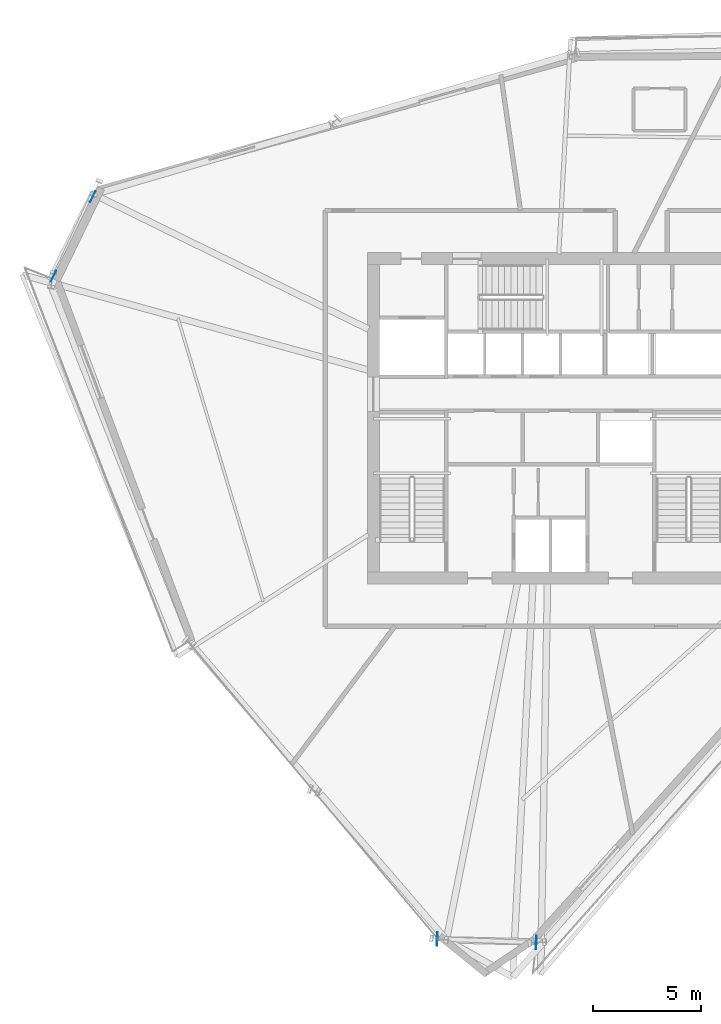
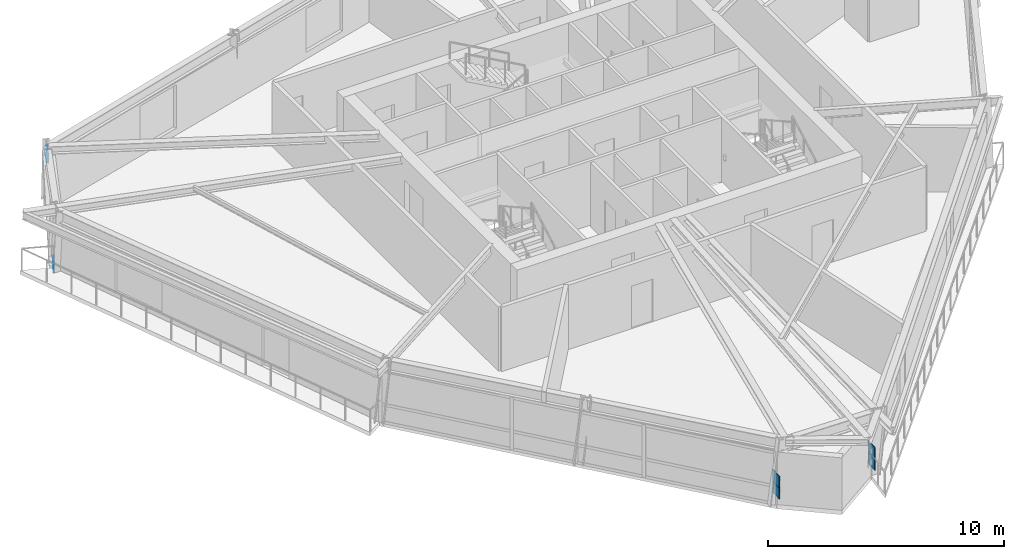
# One storey, part 7 of 15: 6 plates.
"""IFC4 building model written with IfcOpenShell, lengths in metres."""

import ifcopenshell
import ifcopenshell.guid

model = None  # the IFC model being written
_history = None  # IfcOwnerHistory: only IFC2X3 demands one
_inside = {}  # id of a spatial element -> (the spatial element, [elements in it])
_under = {}  # id of a project, library or spatial element -> (it, [spatial elements below it])
_declared = {}  # id of a project -> (the project, [libraries it declares])
_typed = {}  # id of a type object -> (the type object, [elements of that type])
_made_of = {}  # id of a material, layer set ... -> (it, [elements and type objects made of it])


def new_model(schema):
    """Start an empty IFC model of exactly this schema.

    Asked for "IFC4X3", IfcOpenShell would pick the latest addendum, in which some entities
    have other attributes; the version numbers below select the first issue.
    IFC2X3 requires an IfcOwnerHistory on every rooted entity: one is made here for all.
    """
    global model, _history
    if schema == "IFC4X3":
        model = ifcopenshell.file(schema_version=(4, 3, 0, 0))
    else:
        model = ifcopenshell.file(schema=schema)
    _inside.clear()
    _under.clear()
    _declared.clear()
    _typed.clear()
    _made_of.clear()
    _history = None
    if model.schema == "IFC2X3":
        org = make("IfcOrganization", Name="unknown")
        user = make(
            "IfcPersonAndOrganization",
            ThePerson=make("IfcPerson", FamilyName="unknown"),
            TheOrganization=org,
        )
        app = make(
            "IfcApplication",
            ApplicationDeveloper=org,
            Version="unknown",
            ApplicationFullName="unknown",
            ApplicationIdentifier="unknown",
        )
        _history = make(
            "IfcOwnerHistory",
            OwningUser=user,
            OwningApplication=app,
            ChangeAction="ADDED",
            CreationDate=0,
        )
    return model


def make(cls, **values):
    """One entity of the class cls with the attributes given. An attribute that is None is left unset."""
    return model.create_entity(
        cls, **{name: value for name, value in values.items() if value is not None}
    )


def rooted(cls, **values):
    """An entity with a GlobalId (a new one), such as an element, a storey or a relation."""
    return make(cls, GlobalId=ifcopenshell.guid.new(), OwnerHistory=_history, **values)


def si_unit(unit_type, name, prefix=None):
    """IfcSIUnit, for example si_unit("LENGTHUNIT", "METRE", prefix="MILLI")."""
    return make("IfcSIUnit", UnitType=unit_type, Prefix=prefix, Name=name)


def assignment(units):
    """IfcUnitAssignment: the units of a project."""
    return None if units is None else make("IfcUnitAssignment", Units=units)


def point(xyz):
    """IfcCartesianPoint."""
    return None if xyz is None else make("IfcCartesianPoint", Coordinates=xyz)


def direction(xyz):
    """IfcDirection."""
    return None if xyz is None else make("IfcDirection", DirectionRatios=xyz)


def frame(location, z_axis=None, x_axis=None):
    """IfcAxis2Placement3D, a coordinate frame: its origin and axes. An axis left out is left unset."""
    return make(
        "IfcAxis2Placement3D",
        Location=point(location),
        Axis=direction(z_axis),
        RefDirection=direction(x_axis),
    )


def frame_2d(location, x_axis=None):
    """IfcAxis2Placement2D, a coordinate frame in the plane: its origin and x axis."""
    return make(
        "IfcAxis2Placement2D", Location=point(location), RefDirection=direction(x_axis)
    )


def origin():
    """The frame at (0, 0, 0) with its axes left unset."""
    return frame((0.0, 0.0, 0.0))


def origin_2d():
    """The frame at (0, 0) in the plane with its x axis left unset."""
    return frame_2d((0.0, 0.0))


def place(relative_to, where):
    """IfcLocalPlacement: puts the frame where relative to a parent placement (None: the world)."""
    return make(
        "IfcLocalPlacement", PlacementRelTo=relative_to, RelativePlacement=where
    )


def context(
    kind, dimensions, precision=None, world=None, true_north=None, identifier=None
):
    """IfcGeometricRepresentationContext, for example the 3D "Model" context."""
    return make(
        "IfcGeometricRepresentationContext",
        ContextIdentifier=identifier,
        ContextType=kind,
        CoordinateSpaceDimension=dimensions,
        Precision=precision,
        WorldCoordinateSystem=world,
        TrueNorth=true_north,
    )


def subcontext(parent, identifier, kind, view, scale=None):
    """IfcGeometricRepresentationSubContext, for example "Body" below "Model"."""
    return make(
        "IfcGeometricRepresentationSubContext",
        ContextIdentifier=identifier,
        ContextType=kind,
        ParentContext=parent,
        TargetScale=scale,
        TargetView=view,
    )


def project(units=None, contexts=None):
    """IfcProject with its units and contexts."""
    return rooted(
        "IfcProject",
        Name="project",
        RepresentationContexts=contexts,
        UnitsInContext=assignment(units),
    )


def spatial(cls, under=None, at=None, **own):
    """A site, building, storey or space (cls), placed at a placement, below another one or the project."""
    s = rooted(cls, ObjectPlacement=at, **own)
    if under is not None:
        _under.setdefault(under.id(), (under, []))[1].append(s)
    return s


def profile(cls, at=None, kind="AREA", **sizes):
    """A parametric profile (cls). Its sizes go by their IFC names, for example OverallWidth=200.0."""
    return make(cls, ProfileType=kind, Position=at, **sizes)


def rectangle(**sizes):
    """IfcRectangleProfileDef."""
    return profile("IfcRectangleProfileDef", **sizes)


def extrude(swept, where, along, depth):
    """IfcExtrudedAreaSolid: the profile swept, set in the frame where, extruded along a direction by depth."""
    return make(
        "IfcExtrudedAreaSolid",
        SweptArea=swept,
        Position=where,
        ExtrudedDirection=direction(along),
        Depth=depth,
    )


def shape(context_of_items, identifier, shape_type, items):
    """IfcShapeRepresentation: the items that make up one representation, for example the "Body"."""
    return make(
        "IfcShapeRepresentation",
        ContextOfItems=context_of_items,
        RepresentationIdentifier=identifier,
        RepresentationType=shape_type,
        Items=items,
    )


def source(mapping_origin, context_of_items, identifier, shape_type, items):
    """IfcRepresentationMap: a shape defined once, which mapped items show again and again."""
    return make(
        "IfcRepresentationMap",
        MappingOrigin=mapping_origin,
        MappedRepresentation=shape(context_of_items, identifier, shape_type, items),
    )


def transform(
    local_origin,
    x_axis=None,
    y_axis=None,
    z_axis=None,
    scale=None,
    scale2=None,
    scale3=None,
    uniform=True,
):
    """IfcCartesianTransformationOperator3D, or its non-uniform kind. x_axis, y_axis, z_axis: its Axis1, 2, 3."""
    if uniform:
        return make(
            "IfcCartesianTransformationOperator3D",
            Axis1=direction(x_axis),
            Axis2=direction(y_axis),
            LocalOrigin=point(local_origin),
            Scale=scale,
            Axis3=direction(z_axis),
        )
    return make(
        "IfcCartesianTransformationOperator3DnonUniform",
        Axis1=direction(x_axis),
        Axis2=direction(y_axis),
        LocalOrigin=point(local_origin),
        Scale=scale,
        Axis3=direction(z_axis),
        Scale2=scale2,
        Scale3=scale3,
    )


def mapped(mapping_source, mapping_target):
    """IfcMappedItem: shows the shape of a source again, moved by a transform."""
    return make(
        "IfcMappedItem", MappingSource=mapping_source, MappingTarget=mapping_target
    )


def material(Name=None, Category=None):
    """IfcMaterial."""
    return make("IfcMaterial", Name=Name, Category=Category)


def made_of(thing, what):
    """Note that an element or type object is made of a material, layer set ...; save() writes the relation."""
    if what is not None:
        _made_of.setdefault(what.id(), (what, []))[1].append(thing)
    return thing


def type_object(cls, material=None, **own):
    """A type object (cls), such as IfcWallType, which elements share."""
    return made_of(rooted(cls, **own), material)


def element(
    cls,
    number,
    at=None,
    inside=None,
    cuts=None,
    type_object=None,
    material=None,
    context=None,
    identifier="Body",
    shape_type=None,
    held_by="IfcProductDefinitionShape",
    body=None,
    shapes=None,
    **own,
):
    """One element of the class cls, such as IfcWall. Its Tag is "e" and its number.

    at: its placement. inside: the storey or other place that contains it. cuts: it is an
    opening in that element (IfcRelVoidsElement). A single representation is given by context,
    identifier, shape_type and body (its items); several are given by shapes. held_by: the class
    of the entity that holds the representations. save() writes the other relations.
    """
    e = rooted(cls, Tag="e%d" % number, ObjectPlacement=at, **own)
    if body is not None:
        shapes = [shape(context, identifier, shape_type, body)]
    if shapes is not None:
        e.Representation = make(held_by, Representations=shapes)
    if inside is not None:
        _inside.setdefault(inside.id(), (inside, []))[1].append(e)
    if cuts is not None:
        rooted(
            "IfcRelVoidsElement", RelatingBuildingElement=cuts, RelatedOpeningElement=e
        )
    if type_object is not None:
        _typed.setdefault(type_object.id(), (type_object, []))[1].append(e)
    return made_of(e, material)


def aggregate(whole, parts):
    """IfcRelAggregates: a whole, such as a stair, and the parts it consists of."""
    return rooted("IfcRelAggregates", RelatingObject=whole, RelatedObjects=parts)


def save(model, path):
    """Write the relations noted so far, then the file.

    IfcRelAggregates (storeys below a building ...), IfcRelContainedInSpatialStructure (elements
    in a storey), IfcRelDefinesByType, IfcRelAssociatesMaterial and IfcRelDeclares: one each for
    every whole, place, type object, material and project.
    """
    for whole, parts in _under.values():
        aggregate(whole, parts)
    for where, things in _inside.values():
        rooted(
            "IfcRelContainedInSpatialStructure",
            RelatedElements=things,
            RelatingStructure=where,
        )
    for kind, things in _typed.values():
        rooted("IfcRelDefinesByType", RelatedObjects=things, RelatingType=kind)
    for what, things in _made_of.values():
        rooted("IfcRelAssociatesMaterial", RelatedObjects=things, RelatingMaterial=what)
    for by, libraries in _declared.values():
        rooted("IfcRelDeclares", RelatingContext=by, RelatedDefinitions=libraries)
    model.write(path)


model = new_model("IFC4")

# Units and contexts
model_context = context("Model", 3, precision=1e-05, world=origin(), true_north=direction((0.0, 1.0)))
body_context = subcontext(model_context, "Body", "Model", "MODEL_VIEW")
ifc_project = project(units=[si_unit("LENGTHUNIT", "METRE"), si_unit("AREAUNIT", "SQUARE_METRE"), si_unit("VOLUMEUNIT", "CUBIC_METRE"), si_unit("PLANEANGLEUNIT", "RADIAN"), si_unit("MASSUNIT", "GRAM", prefix="KILO")], contexts=[model_context])

# Site, building, storey
site_placement = place(None, origin())
site = spatial("IfcSite", under=ifc_project, at=site_placement, CompositionType="ELEMENT")
building_placement = place(site_placement, origin())
building = spatial("IfcBuilding", under=site, at=building_placement, Name="Olszyna Solenne Hotel", CompositionType="ELEMENT")
storey_placement = place(building_placement, frame((0.0, 0.0, 164.35009765625)))
storey = spatial("IfcBuildingStorey", under=building, at=storey_placement, Name="L43", CompositionType="ELEMENT", Elevation=164.35009765625)

# Plates
ifc_material_1 = material(Name="Steel S460M", Category="steel")
plate_type_1 = type_object("IfcPlateType", Name="GP-CAP2", PredefinedType="USERDEFINED", material=ifc_material_1)
shared_shape_1 = source(origin(), body_context, "Body", "SweptSolid", [
    extrude(rectangle(XDim=0.030029296875, YDim=0.6201171875, at=origin_2d()), origin(), (0.0, 0.0, 1.0), 0.6201171875),
])
for number, where, z_axis, x_axis, name in (
    (1, (32.773193359375, 2.568359375, 1.039794921875), (0.0, 0.0, 1.0), (0.999262916411, -0.038387809088, 0.0), "Hollow section end-cap plate GP-CAP2 CP-PR-M-L43-PR1-1"),
    (2, (37.3466796875, 2.392578125, 1.039794921875), (0.0, 0.0, 1.0), (0.999262916411, -0.038387809088, 0.0), "Hollow section end-cap plate GP-CAP2 CP-PR-M-L43-PR1-2"),
    (3, (32.773193359375, 2.568359375, 0.4697265625), (0.0, 0.0, 1.0), (0.999262916411, -0.038387809088, 0.0), "Hollow section end-cap plate GP-CAP2 CP-PR-M-L43-PR2-1"),
    (4, (37.3466796875, 2.392578125, 0.4697265625), (0.0, 0.0, 1.0), (0.999262916411, -0.038387809088, 0.0), "Hollow section end-cap plate GP-CAP2 CP-PR-M-L43-PR2-2"),
):
    element("IfcPlate", number, at=place(storey_placement, frame(where, z_axis=z_axis, x_axis=x_axis)), inside=storey, type_object=plate_type_1, Name=name, ObjectType="GUSSET_PLATE", PredefinedType="USERDEFINED", context=body_context, shape_type="MappedRepresentation", body=[
        mapped(shared_shape_1, transform((0.0, 0.0, 0.0), x_axis=(1.0, 0.0, 0.0), y_axis=(0.0, 1.0, 0.0), z_axis=(0.0, 0.0, 1.0), scale=1.0)),
    ])
ifc_material_2 = material(Name="Steel S355J2", Category="steel")
plate_type_2 = type_object("IfcPlateType", Name="GP-ND2", PredefinedType="USERDEFINED", material=ifc_material_2)
shared_shape_2 = source(origin(), body_context, "Body", "SweptSolid", [
    extrude(rectangle(XDim=0.56005859375, YDim=0.02001953125, at=origin_2d()), origin(), (0.0, 0.0, 1.0), 0.47998046875),
])
for number, where, z_axis, x_axis, name in (
    (5, (15.055419921875, 33.16357421875, -0.150390625), (0.0, 0.0, 1.0), (0.442445217305, 0.896795533934, 0.0), "Brace end connection gusset plate GP-ND2 EP-BR-L43-2-1"),
    (6, (16.869384765625, 36.83984375, 2.680419921875), (0.0, 0.0, 1.0), (0.442445217305, 0.896795533934, 0.0), "Brace end connection gusset plate GP-ND2 EP-BR-L43-2-2"),
):
    element("IfcPlate", number, at=place(storey_placement, frame(where, z_axis=z_axis, x_axis=x_axis)), inside=storey, type_object=plate_type_2, Name=name, ObjectType="GUSSET_PLATE", PredefinedType="USERDEFINED", context=body_context, shape_type="MappedRepresentation", body=[
        mapped(shared_shape_2, transform((0.0, 0.0, 0.0), x_axis=(1.0, 0.0, 0.0), y_axis=(0.0, 1.0, 0.0), z_axis=(0.0, 0.0, 1.0), scale=1.0)),
    ])

save(model, "model.ifc")
